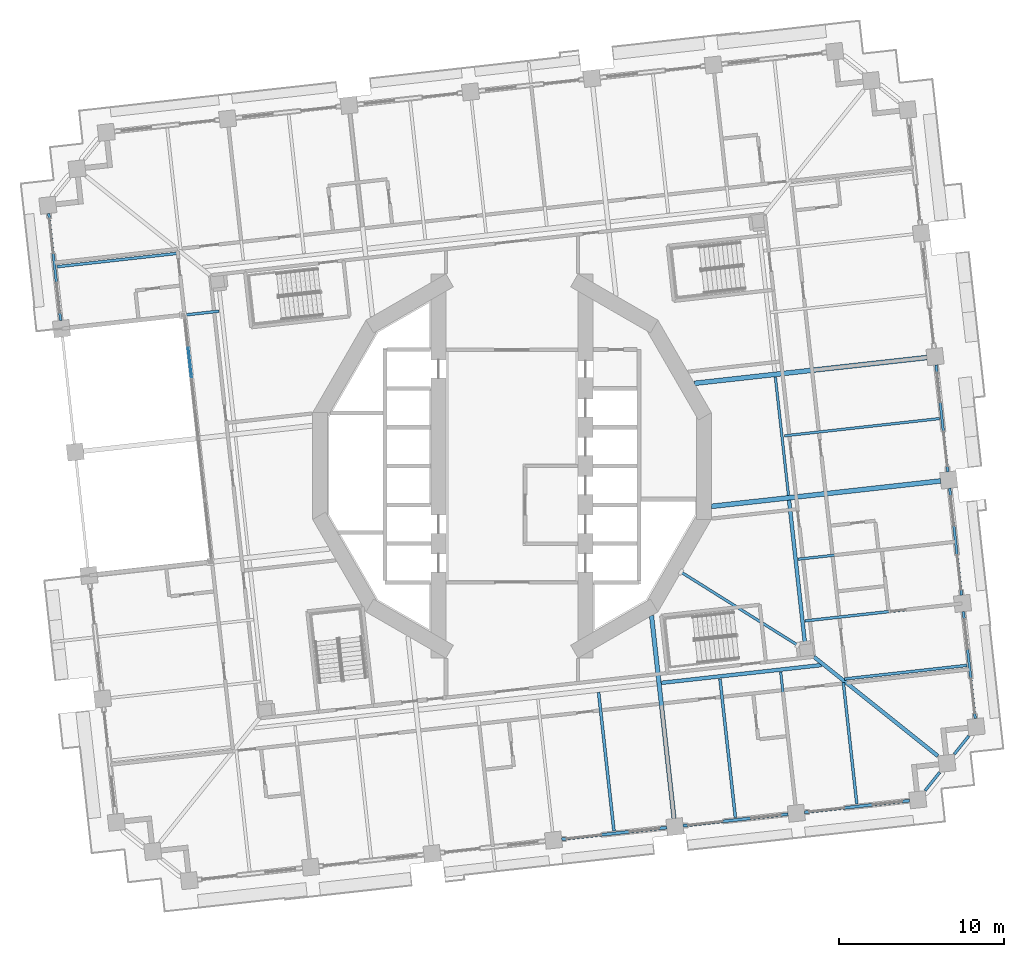
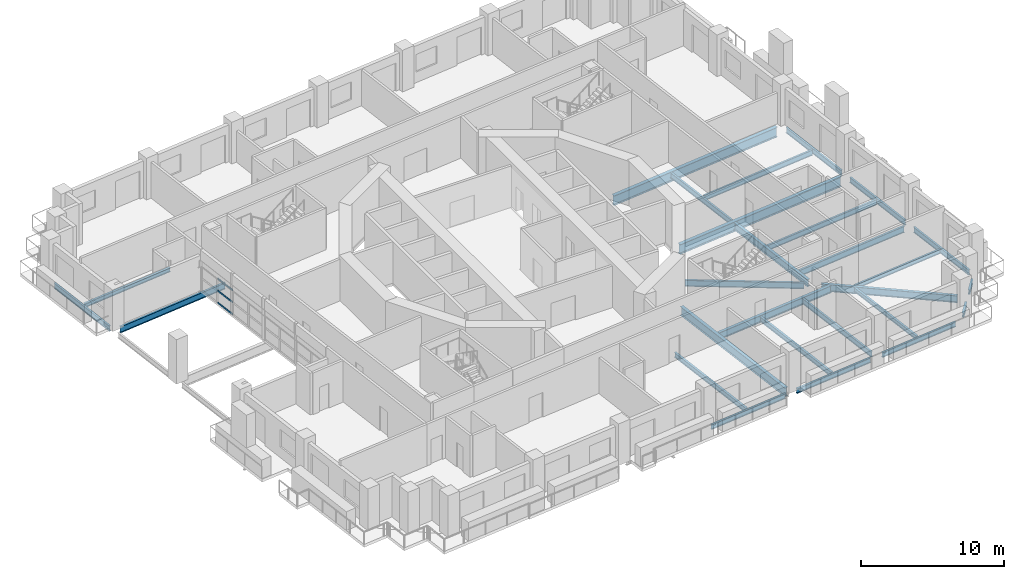
# One storey, part 3 of 21: 27 beams, 3 members, 1 element without a shape of its own.
"""IFC4 building model written with IfcOpenShell, lengths in metres."""

from ifc_helpers import new_model, si_unit, direction, frame, origin, origin_2d, place, context, subcontext, project, spatial, rectangle, i_section, extrude, material, material_profile, profile_set, type_object, element, aggregate, save


model = new_model("IFC4")

# Units and contexts
model_context = context("Model", 3, precision=1e-05, world=origin(), true_north=direction((0.0, 1.0)))
body_context = subcontext(model_context, "Body", "Model", "MODEL_VIEW")
ifc_project = project(units=[si_unit("LENGTHUNIT", "METRE"), si_unit("AREAUNIT", "SQUARE_METRE"), si_unit("VOLUMEUNIT", "CUBIC_METRE"), si_unit("PLANEANGLEUNIT", "RADIAN"), si_unit("MASSUNIT", "GRAM", prefix="KILO")], contexts=[model_context])

# Site, building, storey
site_placement = place(None, origin())
site = spatial("IfcSite", under=ifc_project, at=site_placement, CompositionType="ELEMENT")
building_placement = place(site_placement, origin())
building = spatial("IfcBuilding", under=site, at=building_placement, Name="Cantera Rosa Tower", CompositionType="ELEMENT")
storey_placement = place(building_placement, frame((0.0, 0.0, 72.89990234375)))
storey = spatial("IfcBuildingStorey", under=building, at=storey_placement, Name="L15", CompositionType="ELEMENT", Elevation=72.89990234375)

# Curtain wall, members
ifc_material_1 = material(Name="Aluminium frame with clear glass", Category="aluminium")
curtain_wall_type = type_object("IfcCurtainWallType", Name="CW1 TERRACE POCKET GLAZING", PredefinedType="NOTDEFINED", material=ifc_material_1)
curtain_wall_placement = place(storey_placement, origin())
curtain_wall = element("IfcCurtainWall", 1, at=curtain_wall_placement, inside=storey, type_object=curtain_wall_type, Name="CW1 CW1", PredefinedType="NOTDEFINED")
ifc_material_2 = material(Name="Anodised bronze aluminium", Category="aluminium")
ifc_material_profile_1 = material_profile(ifc_material_2, rectangle(XDim=0.06005859375, YDim=0.139892578125, at=origin_2d()), Name="CW-TRANSOM 60x140 POCKET")
ifc_profile_set_1 = profile_set([ifc_material_profile_1], Name="Anodised bronze aluminium")
member_type = type_object("IfcMemberType", Name="CW-TRANSOM 60x140 POCKET", PredefinedType="USERDEFINED", material=ifc_profile_set_1)
member_1_placement = place(storey_placement, frame((-19.609130859375, 7.15673828125, 0.030029296875), z_axis=(0.110281721709, -0.993900368174, 0.0), x_axis=(0.993900368174, 0.110281721709, 0.0)))
member_1 = element("IfcMember", 2, at=member_1_placement, type_object=member_type, Name="CW1 transom 2.1", ObjectType="TRANSOM", PredefinedType="USERDEFINED", context=body_context, shape_type="SweptSolid", body=[
    extrude(rectangle(XDim=0.06005859375, YDim=0.139892578125, at=origin_2d()), origin(), (0.0, 0.0, 1.0), 1.788818359375),
])
member_2_placement = place(storey_placement, frame((-19.609130859375, 7.15673828125, 1.052001953125), z_axis=(0.110281721709, -0.993900368174, 0.0), x_axis=(0.993900368174, 0.110281721709, 0.0)))
member_2 = element("IfcMember", 3, at=member_2_placement, type_object=member_type, Name="CW1 transom 2.2", ObjectType="TRANSOM", PredefinedType="USERDEFINED", context=body_context, shape_type="SweptSolid", body=[
    extrude(rectangle(XDim=0.06005859375, YDim=0.139892578125, at=origin_2d()), origin(), (0.0, 0.0, 1.0), 1.788818359375),
])
member_3_placement = place(storey_placement, frame((-19.609130859375, 7.15673828125, 2.07421875), z_axis=(0.110281721709, -0.993900368174, 0.0), x_axis=(0.993900368174, 0.110281721709, 0.0)))
member_3 = element("IfcMember", 4, at=member_3_placement, type_object=member_type, Name="CW1 transom 2.3", ObjectType="TRANSOM", PredefinedType="USERDEFINED", context=body_context, shape_type="SweptSolid", body=[
    extrude(rectangle(XDim=0.06005859375, YDim=0.139892578125, at=origin_2d()), origin(), (0.0, 0.0, 1.0), 1.788818359375),
])
aggregate(curtain_wall, [member_1, member_2, member_3])

# Beams
ifc_material_3 = material(Name="Steel ASTM A992 (Fy 345 MPa)", Category="steel")
ifc_material_profile_2 = material_profile(ifc_material_3, i_section(OverallWidth=0.154052734375, OverallDepth=0.4599609375, WebThickness=0.009033203125, FlangeThickness=0.015380859375, FilletRadius=0.01025390625, at=origin_2d()), Name="W460X68")
ifc_profile_set_2 = profile_set([ifc_material_profile_2], Name="Steel ASTM A992 (Fy 345 MPa)")
beam_type_1 = type_object("IfcBeamType", Name="STEEL BEAM W460X68", PredefinedType="BEAM", material=ifc_profile_set_2)
beam_1_placement = place(storey_placement, frame((17.169677734375, -20.53125, -0.47998046875), z_axis=(-0.110315740112, 0.993896592953, 0.0), x_axis=(-0.993896592953, -0.110315740112, 0.0)))
element("IfcBeam", 5, at=beam_1_placement, inside=storey, type_object=beam_type_1, Name="G-Z1-14 L15", PredefinedType="BEAM", context=body_context, shape_type="SweptSolid", body=[
    extrude(i_section(OverallWidth=0.154052734375, OverallDepth=0.4599609375, WebThickness=0.009033203125, FlangeThickness=0.015380859375, FilletRadius=0.01025390625, at=origin_2d()), origin(), (0.0, 0.0, 1.0), 8.099853515625),
])
beam_2_placement = place(storey_placement, frame((16.747802734375, -1.7734375, -0.47998046875), z_axis=(-0.110301629462, 0.993898159037, 0.0), x_axis=(-0.993898159037, -0.110301629462, 0.0)))
element("IfcBeam", 6, at=beam_2_placement, inside=storey, type_object=beam_type_1, Name="RB-Z1-08 L15", PredefinedType="BEAM", context=body_context, shape_type="SweptSolid", body=[
    extrude(i_section(OverallWidth=0.154052734375, OverallDepth=0.4599609375, WebThickness=0.009033203125, FlangeThickness=0.015380859375, FilletRadius=0.01025390625, at=origin_2d()), origin(), (0.0, 0.0, 1.0), 7.219970703125),
])
ifc_material_4 = material(Name="Steel ASTM A992 (Fy 345 MPa)", Category="steel")
ifc_material_profile_3 = material_profile(ifc_material_4, i_section(OverallWidth=0.166015625, OverallDepth=0.528076171875, WebThickness=0.009765625, FlangeThickness=0.013671875, FilletRadius=0.0126953125, at=origin_2d()), Name="W530X74")
ifc_profile_set_3 = profile_set([ifc_material_profile_3], Name="Steel ASTM A992 (Fy 345 MPa)")
beam_type_2 = type_object("IfcBeamType", Name="STEEL BEAM W530X74", PredefinedType="BEAM", material=ifc_profile_set_3)
for number, where, z_axis, x_axis, name in (
    (7, (26.78759765625, -8.376220703125, -0.513916015625), (-0.993899428859, -0.110290186845, 0.0), (0.110290186845, -0.993899428859, 0.0), "G-Z1-01 L15"),
    (8, (-26.78759765625, 8.376220703125, -0.513916015625), (0.993899428859, 0.110290186845, 0.0), (-0.110290186845, 0.993899428859, 0.0), "G-Z1-15 L15"),
):
    element("IfcBeam", number, at=place(storey_placement, frame(where, z_axis=z_axis, x_axis=x_axis)), inside=storey, type_object=beam_type_2, Name=name, PredefinedType="BEAM", context=body_context, shape_type="SweptSolid", body=[
        extrude(i_section(OverallWidth=0.166015625, OverallDepth=0.528076171875, WebThickness=0.009765625, FlangeThickness=0.013671875, FilletRadius=0.0126953125, at=origin_2d()), origin(), (0.0, 0.0, 1.0), 9.10009765625),
    ])
beam_3_placement = place(storey_placement, frame((17.302490234375, -10.8505859375, -0.513916015625), z_axis=(-0.847189957301, 0.531290105543, 0.0), x_axis=(-0.531290105543, -0.847189957301, 0.0)))
element("IfcBeam", 9, at=beam_3_placement, inside=storey, type_object=beam_type_2, Name="PG-Z1-01 L15", PredefinedType="BEAM", context=body_context, shape_type="SweptSolid", body=[
    extrude(i_section(OverallWidth=0.166015625, OverallDepth=0.528076171875, WebThickness=0.009765625, FlangeThickness=0.013671875, FilletRadius=0.0126953125, at=origin_2d()), origin(), (0.0, 0.0, 1.0), 8.34130859375),
])
ifc_material_5 = material(Name="Steel ASTM A992 (Fy 345 MPa)", Category="steel")
ifc_material_profile_4 = material_profile(ifc_material_5, i_section(OverallWidth=0.22802734375, OverallDepth=0.60205078125, WebThickness=0.010498046875, FlangeThickness=0.014892578125, FilletRadius=0.0126953125, at=origin_2d()), Name="W610X101")
ifc_profile_set_4 = profile_set([ifc_material_profile_4], Name="Steel ASTM A992 (Fy 345 MPa)")
beam_type_3 = type_object("IfcBeamType", Name="STEEL BEAM W610X101", PredefinedType="BEAM", material=ifc_profile_set_4)
beam_4_placement = place(storey_placement, frame((25.794677734375, -17.561767578125, -0.55078125), z_axis=(-0.78078211406, 0.62480340137, 0.0), x_axis=(-0.62480340137, -0.78078211406, 0.0)))
element("IfcBeam", 10, at=beam_4_placement, inside=storey, type_object=beam_type_3, Name="CB-Z1-04 L15", PredefinedType="BEAM", context=body_context, shape_type="SweptSolid", body=[
    extrude(i_section(OverallWidth=0.22802734375, OverallDepth=0.60205078125, WebThickness=0.010498046875, FlangeThickness=0.014892578125, FilletRadius=0.0126953125, at=origin_2d()), origin(), (0.0, 0.0, 1.0), 9.61669921875),
])
beam_5_placement = place(storey_placement, frame((17.739501953125, -10.70849609375, -0.55078125), z_axis=(-0.110298932846, 0.993898458301, 0.0), x_axis=(-0.993898458301, -0.110298932846, 0.0)))
element("IfcBeam", 11, at=beam_5_placement, inside=storey, type_object=beam_type_3, Name="RB-Z1-07 L15", PredefinedType="BEAM", context=body_context, shape_type="SweptSolid", body=[
    extrude(i_section(OverallWidth=0.22802734375, OverallDepth=0.60205078125, WebThickness=0.010498046875, FlangeThickness=0.014892578125, FilletRadius=0.0126953125, at=origin_2d()), origin(), (0.0, 0.0, 1.0), 8.68994140625),
])
ifc_material_6 = material(Name="Steel ASTM A992 (Fy 345 MPa)", Category="steel")
ifc_material_profile_5 = material_profile(ifc_material_6, i_section(OverallWidth=0.22900390625, OverallDepth=0.612060546875, WebThickness=0.011962890625, FlangeThickness=0.01953125, FilletRadius=0.0126953125, at=origin_2d()), Name="W610X125")
ifc_profile_set_5 = profile_set([ifc_material_profile_5], Name="Steel ASTM A992 (Fy 345 MPa)")
beam_type_4 = type_object("IfcBeamType", Name="STEEL BEAM W610X125", PredefinedType="BEAM", material=ifc_profile_set_5)
beam_6_placement = place(storey_placement, frame((9.0537109375, -13.13134765625, -0.555908203125), z_axis=(0.993898383269, 0.110299608956, 0.0), x_axis=(-0.110299608956, 0.993898383269, 0.0)))
element("IfcBeam", 12, at=beam_6_placement, inside=storey, type_object=beam_type_4, Name="RB-Z1-06 L15", PredefinedType="BEAM", context=body_context, shape_type="SweptSolid", body=[
    extrude(i_section(OverallWidth=0.22900390625, OverallDepth=0.612060546875, WebThickness=0.011962890625, FlangeThickness=0.01953125, FilletRadius=0.0126953125, at=origin_2d()), origin(), (0.0, 0.0, 1.0), 9.750244140625),
])
ifc_material_7 = material(Name="Steel ASTM A992 (Fy 345 MPa)", Category="steel")
ifc_material_profile_6 = material_profile(ifc_material_7, i_section(OverallWidth=0.26708984375, OverallDepth=0.75390625, WebThickness=0.01318359375, FlangeThickness=0.01708984375, FilletRadius=0.0166015625, at=origin_2d()), Name="W760X147")
ifc_profile_set_6 = profile_set([ifc_material_profile_6], Name="Steel ASTM A992 (Fy 345 MPa)")
beam_type_5 = type_object("IfcBeamType", Name="STEEL BEAM W760X147", PredefinedType="BEAM", material=ifc_profile_set_6)
beam_7_placement = place(storey_placement, frame((9.814697265625, -21.34765625, -0.626953125), z_axis=(-0.110292782244, 0.993899140851, 0.0), x_axis=(-0.993899140851, -0.110292782244, 0.0)))
element("IfcBeam", 13, at=beam_7_placement, inside=storey, type_object=beam_type_5, Name="G-Z1-13 L15", PredefinedType="BEAM", context=body_context, shape_type="SweptSolid", body=[
    extrude(i_section(OverallWidth=0.26708984375, OverallDepth=0.75390625, WebThickness=0.01318359375, FlangeThickness=0.01708984375, FilletRadius=0.0166015625, at=origin_2d()), origin(), (0.0, 0.0, 1.0), 12.360595703125),
])
ifc_material_8 = material(Name="Steel ASTM A992 (Fy 345 MPa)", Category="steel")
ifc_material_profile_7 = material_profile(ifc_material_8, i_section(OverallWidth=0.2919921875, OverallDepth=0.8359375, WebThickness=0.013916015625, FlangeThickness=0.018798828125, FilletRadius=0.017822265625, at=origin_2d()), Name="W840X176")
ifc_profile_set_7 = profile_set([ifc_material_profile_7], Name="Steel ASTM A992 (Fy 345 MPa)")
beam_type_6 = type_object("IfcBeamType", Name="STEEL BEAM W840X176", PredefinedType="BEAM", material=ifc_profile_set_7)
beam_8_placement = place(storey_placement, frame((25.9580078125, -0.902099609375, -0.66796875), z_axis=(-0.993898644981, -0.110297250672, 0.0), x_axis=(0.110297250672, -0.993898644981, 0.0)))
element("IfcBeam", 14, at=beam_8_placement, inside=storey, type_object=beam_type_6, Name="G-Z1-02 L15", PredefinedType="BEAM", context=body_context, shape_type="SweptSolid", body=[
    extrude(i_section(OverallWidth=0.2919921875, OverallDepth=0.8359375, WebThickness=0.013916015625, FlangeThickness=0.018798828125, FilletRadius=0.017822265625, at=origin_2d()), origin(), (0.0, 0.0, 1.0), 13.96923828125),
])
beam_9_placement = place(storey_placement, frame((25.12841796875, 6.572021484375, -0.66796875), z_axis=(-0.993897599241, -0.110306673519, 0.0), x_axis=(0.110306673519, -0.993897599241, 0.0)))
element("IfcBeam", 15, at=beam_9_placement, inside=storey, type_object=beam_type_6, Name="G-Z1-03 L15", PredefinedType="BEAM", context=body_context, shape_type="SweptSolid", body=[
    extrude(i_section(OverallWidth=0.2919921875, OverallDepth=0.8359375, WebThickness=0.013916015625, FlangeThickness=0.018798828125, FilletRadius=0.017822265625, at=origin_2d()), origin(), (0.0, 0.0, 1.0), 14.1650390625),
])
ifc_material_9 = material(Name="Steel ASTM A992 (Fy 345 MPa)", Category="steel")
ifc_material_profile_8 = material_profile(ifc_material_9, i_section(OverallWidth=0.1708984375, OverallDepth=0.35595703125, WebThickness=0.00732421875, FlangeThickness=0.01171875, FilletRadius=0.010009765625, at=origin_2d()), Name="W360X51")
ifc_profile_set_8 = profile_set([ifc_material_profile_8], Name="Steel ASTM A992 (Fy 345 MPa)")
beam_type_7 = type_object("IfcBeamType", Name="STEEL JOIST W360X51", PredefinedType="JOIST", material=ifc_profile_set_8)
beam_10_placement = place(storey_placement, frame((27.550048828125, -12.074462890625, -0.427978515625), z_axis=(-0.993895702238, -0.110323764768, 0.0), x_axis=(0.110323764768, -0.993895702238, 0.0)))
element("IfcBeam", 16, at=beam_10_placement, inside=storey, type_object=beam_type_7, Name="B-Z1-01 L15", PredefinedType="JOIST", context=body_context, shape_type="SweptSolid", body=[
    extrude(i_section(OverallWidth=0.1708984375, OverallDepth=0.35595703125, WebThickness=0.00732421875, FlangeThickness=0.01171875, FilletRadius=0.010009765625, at=origin_2d()), origin(), (0.0, 0.0, 1.0), 7.4599609375),
])
beam_11_placement = place(storey_placement, frame((20.8857421875, -20.470947265625, -0.427978515625), z_axis=(-0.110326513132, 0.993895397162, 0.0), x_axis=(-0.993895397162, -0.110326513132, 0.0)))
element("IfcBeam", 17, at=beam_11_placement, inside=storey, type_object=beam_type_7, Name="B-Z1-17 L15", PredefinedType="JOIST", context=body_context, shape_type="SweptSolid", body=[
    extrude(i_section(OverallWidth=0.1708984375, OverallDepth=0.35595703125, WebThickness=0.00732421875, FlangeThickness=0.01171875, FilletRadius=0.010009765625, at=origin_2d()), origin(), (0.0, 0.0, 1.0), 7.39990234375),
])
beam_12_placement = place(storey_placement, frame((-27.550048828125, 12.074462890625, -0.427978515625), z_axis=(0.993895702238, 0.110323764768, 0.0), x_axis=(-0.110323764768, 0.993895702238, 0.0)))
element("IfcBeam", 18, at=beam_12_placement, inside=storey, type_object=beam_type_7, Name="B-Z1-18 L15", PredefinedType="JOIST", context=body_context, shape_type="SweptSolid", body=[
    extrude(i_section(OverallWidth=0.1708984375, OverallDepth=0.35595703125, WebThickness=0.00732421875, FlangeThickness=0.01171875, FilletRadius=0.010009765625, at=origin_2d()), origin(), (0.0, 0.0, 1.0), 7.4599609375),
])
ifc_material_10 = material(Name="Steel ASTM A992 (Fy 345 MPa)", Category="steel")
ifc_material_profile_9 = material_profile(ifc_material_10, i_section(OverallWidth=0.177978515625, OverallDepth=0.406005859375, WebThickness=0.0078125, FlangeThickness=0.0126953125, FilletRadius=0.01025390625, at=origin_2d()), Name="W410X60")
ifc_profile_set_9 = profile_set([ifc_material_profile_9], Name="Steel ASTM A992 (Fy 345 MPa)")
beam_type_8 = type_object("IfcBeamType", Name="STEEL JOIST W410X60", PredefinedType="JOIST", material=ifc_profile_set_9)
for number, where, z_axis, x_axis, name in (
    (19, (6.176025390625, -22.103515625, -0.452880859375), (-0.110311022989, 0.99389711651, 0.0), (-0.99389711651, -0.110311022989, 0.0), "B-Z1-15 L15"),
    (20, (13.53076171875, -21.287353515625, -0.452880859375), (-0.110311022989, 0.99389711651, 0.0), (-0.99389711651, -0.110311022989, 0.0), "B-Z1-16 L15"),
):
    element("IfcBeam", number, at=place(storey_placement, frame(where, z_axis=z_axis, x_axis=x_axis)), inside=storey, type_object=beam_type_8, Name=name, PredefinedType="JOIST", context=body_context, shape_type="SweptSolid", body=[
        extrude(i_section(OverallWidth=0.177978515625, OverallDepth=0.406005859375, WebThickness=0.0078125, FlangeThickness=0.0126953125, FilletRadius=0.01025390625, at=origin_2d()), origin(), (0.0, 0.0, 1.0), 8.449951171875),
    ])
ifc_material_11 = material(Name="Steel ASTM A992 (Fy 345 MPa)", Category="steel")
ifc_material_profile_10 = material_profile(ifc_material_11, i_section(OverallWidth=0.154052734375, OverallDepth=0.4599609375, WebThickness=0.009033203125, FlangeThickness=0.015380859375, FilletRadius=0.01025390625, at=origin_2d()), Name="W460X68")
ifc_profile_set_10 = profile_set([ifc_material_profile_10], Name="Steel ASTM A992 (Fy 345 MPa)")
beam_type_9 = type_object("IfcBeamType", Name="STEEL JOIST W460X68", PredefinedType="JOIST", material=ifc_profile_set_10)
for number, where, z_axis, x_axis, name in (
    (21, (26.720458984375, -4.600341796875, -0.47998046875), (-0.993896645353, -0.110315268011, 0.0), (0.110315268011, -0.993896645353, 0.0), "B-Z1-02 L15"),
    (22, (25.89111328125, 2.87353515625, -0.47998046875), (-0.993899477629, -0.110289747342, 0.0), (0.110289747342, -0.993899477629, 0.0), "B-Z1-03 L15"),
):
    element("IfcBeam", number, at=place(storey_placement, frame(where, z_axis=z_axis, x_axis=x_axis)), inside=storey, type_object=beam_type_9, Name=name, PredefinedType="JOIST", context=body_context, shape_type="SweptSolid", body=[
        extrude(i_section(OverallWidth=0.154052734375, OverallDepth=0.4599609375, WebThickness=0.009033203125, FlangeThickness=0.015380859375, FilletRadius=0.01025390625, at=origin_2d()), origin(), (0.0, 0.0, 1.0), 9.449951171875),
    ])
ifc_material_12 = material(Name="Steel ASTM A992 (Fy 345 MPa)", Category="steel")
ifc_material_profile_11 = material_profile(ifc_material_12, i_section(OverallWidth=0.1708984375, OverallDepth=0.35595703125, WebThickness=0.00732421875, FlangeThickness=0.01171875, FilletRadius=0.010009765625, at=origin_2d()), Name="W360X51")
ifc_profile_set_11 = profile_set([ifc_material_profile_11], Name="Steel ASTM A992 (Fy 345 MPa)")
beam_type_10 = type_object("IfcBeamType", Name="STEEL SPANDREL BEAM W360X51", PredefinedType="SPANDREL", material=ifc_profile_set_11)
for number, where, z_axis, x_axis, name in (
    (23, (25.021484375, -19.659912109375, -0.427978515625), (0.624758203863, 0.780818280208, 0.0), (-0.780818280208, 0.624758203863, 0.0), "EB-Z1-29 L15"),
    (24, (26.78857421875, -17.451416015625, -0.427978515625), (0.624758203863, 0.780818280208, 0.0), (-0.780818280208, 0.624758203863, 0.0), "EB-Z1-30 L15"),
):
    element("IfcBeam", number, at=place(storey_placement, frame(where, z_axis=z_axis, x_axis=x_axis)), inside=storey, type_object=beam_type_10, Name=name, PredefinedType="SPANDREL", context=body_context, shape_type="SweptSolid", body=[
        extrude(i_section(OverallWidth=0.1708984375, OverallDepth=0.35595703125, WebThickness=0.00732421875, FlangeThickness=0.01171875, FilletRadius=0.010009765625, at=origin_2d()), origin(), (0.0, 0.0, 1.0), 1.414306640625),
    ])
ifc_material_13 = material(Name="Steel ASTM A992 (Fy 345 MPa)", Category="steel")
ifc_material_profile_12 = material_profile(ifc_material_13, i_section(OverallWidth=0.177978515625, OverallDepth=0.406005859375, WebThickness=0.0078125, FlangeThickness=0.0126953125, FilletRadius=0.01025390625, at=origin_2d()), Name="W410X60")
ifc_profile_set_12 = profile_set([ifc_material_profile_12], Name="Steel ASTM A992 (Fy 345 MPa)")
beam_type_11 = type_object("IfcBeamType", Name="STEEL SPANDREL BEAM W410X60", PredefinedType="SPANDREL", material=ifc_profile_set_12)
beam_13_placement = place(storey_placement, frame((3.011962890625, -22.605712890625, -0.452880859375), z_axis=(0.993896288542, 0.110318482689, 0.0), x_axis=(-0.110318482689, 0.993896288542, 0.0)))
element("IfcBeam", 25, at=beam_13_placement, inside=storey, type_object=beam_type_11, Name="EB-Z1-26 L15", PredefinedType="SPANDREL", context=body_context, shape_type="SweptSolid", body=[
    extrude(i_section(OverallWidth=0.177978515625, OverallDepth=0.406005859375, WebThickness=0.0078125, FlangeThickness=0.0126953125, FilletRadius=0.01025390625, at=origin_2d()), origin(), (0.0, 0.0, 1.0), 6.400146484375),
])
beam_14_placement = place(storey_placement, frame((10.366943359375, -21.789306640625, -0.452880859375), z_axis=(0.993900006422, 0.110284981906, 0.0), x_axis=(-0.110284981906, 0.993900006422, 0.0)))
element("IfcBeam", 26, at=beam_14_placement, inside=storey, type_object=beam_type_11, Name="EB-Z1-27 L15", PredefinedType="SPANDREL", context=body_context, shape_type="SweptSolid", body=[
    extrude(i_section(OverallWidth=0.177978515625, OverallDepth=0.406005859375, WebThickness=0.0078125, FlangeThickness=0.0126953125, FilletRadius=0.01025390625, at=origin_2d()), origin(), (0.0, 0.0, 1.0), 6.39990234375),
])
beam_15_placement = place(storey_placement, frame((17.7216796875, -20.97314453125, -0.452880859375), z_axis=(0.993896288542, 0.110318482689, 0.0), x_axis=(-0.110318482689, 0.993896288542, 0.0)))
element("IfcBeam", 27, at=beam_15_placement, inside=storey, type_object=beam_type_11, Name="EB-Z1-28 L15", PredefinedType="SPANDREL", context=body_context, shape_type="SweptSolid", body=[
    extrude(i_section(OverallWidth=0.177978515625, OverallDepth=0.406005859375, WebThickness=0.0078125, FlangeThickness=0.0126953125, FilletRadius=0.01025390625, at=origin_2d()), origin(), (0.0, 0.0, 1.0), 6.400146484375),
])
ifc_material_14 = material(Name="Steel ASTM A992 (Fy 345 MPa)", Category="steel")
ifc_material_profile_13 = material_profile(ifc_material_14, i_section(OverallWidth=0.154052734375, OverallDepth=0.4599609375, WebThickness=0.009033203125, FlangeThickness=0.015380859375, FilletRadius=0.01025390625, at=origin_2d()), Name="W460X68")
ifc_profile_set_13 = profile_set([ifc_material_profile_13], Name="Steel ASTM A992 (Fy 345 MPa)")
beam_type_12 = type_object("IfcBeamType", Name="STEEL SPANDREL BEAM W460X68", PredefinedType="SPANDREL", material=ifc_profile_set_13)
for number, where, z_axis, x_axis, name in (
    (28, (28.058837890625, -15.298095703125, -0.47998046875), (-0.110312341265, 0.993896970196, 0.0), (-0.993896970196, -0.110312341265, 0.0), "EB-Z1-01 L15"),
    (29, (27.229248046875, -7.823974609375, -0.47998046875), (-0.110312341265, 0.993896970196, 0.0), (-0.993896970196, -0.110312341265, 0.0), "EB-Z1-02 L15"),
    (30, (26.399658203125, -0.349853515625, -0.47998046875), (-0.110312341265, 0.993896970196, 0.0), (-0.993896970196, -0.110312341265, 0.0), "EB-Z1-03 L15"),
    (31, (-28.058837890625, 15.298095703125, -0.47998046875), (0.110312341265, -0.993896970196, 0.0), (0.993896970196, 0.110312341265, 0.0), "EB-Z1-16 L15"),
):
    element("IfcBeam", number, at=place(storey_placement, frame(where, z_axis=z_axis, x_axis=x_axis)), inside=storey, type_object=beam_type_12, Name=name, PredefinedType="SPANDREL", context=body_context, shape_type="SweptSolid", body=[
        extrude(i_section(OverallWidth=0.154052734375, OverallDepth=0.4599609375, WebThickness=0.009033203125, FlangeThickness=0.015380859375, FilletRadius=0.01025390625, at=origin_2d()), origin(), (0.0, 0.0, 1.0), 6.52001953125),
    ])

save(model, "model.ifc")
